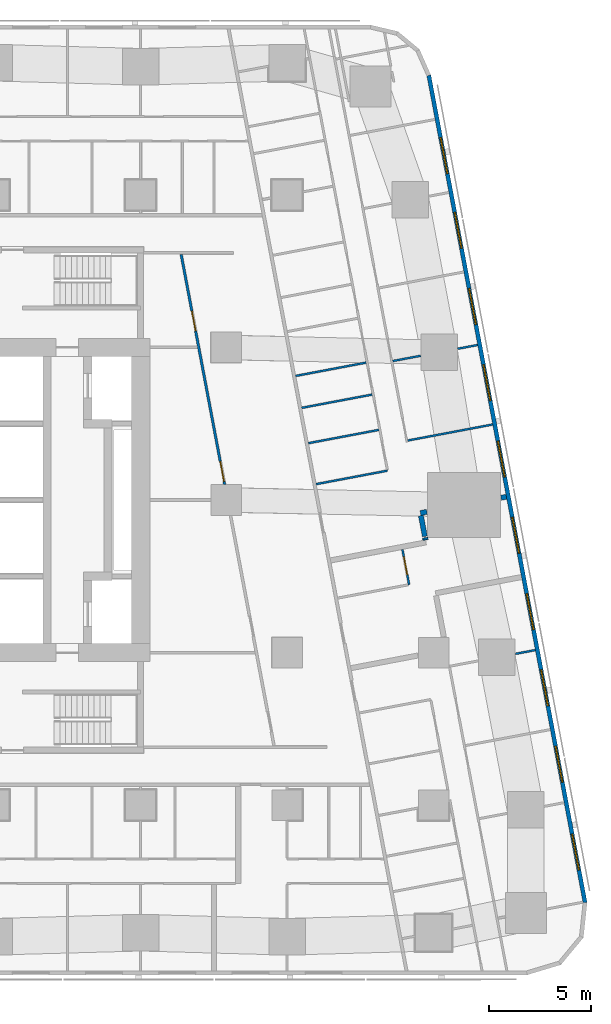
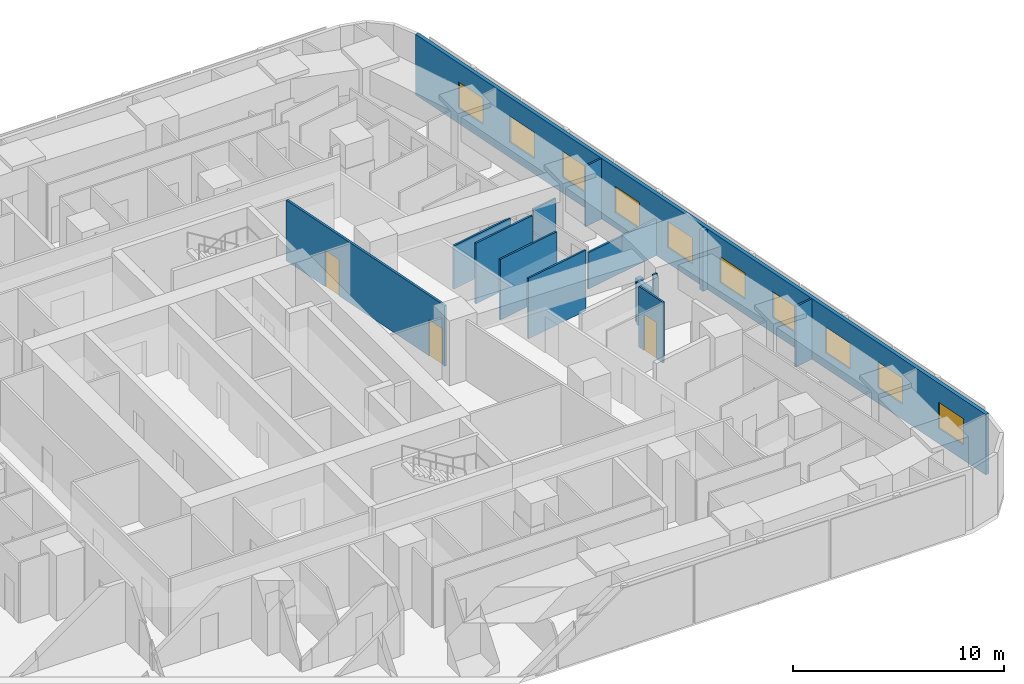
# One storey, part 8 of 15: 15 walls, 10 windows, 3 doors, 13 openings.
"""IFC4 building model written with IfcOpenShell, lengths in metres."""

from ifc_helpers import new_model, si_unit, direction, frame, frame_2d, origin, place, context, subcontext, project, spatial, rectangle, extrude, material, layer, layer_set, type_object, element, fill, save


model = new_model("IFC4")

# Units and contexts
model_context = context("Model", 3, precision=1e-05, world=origin(), true_north=direction((0.0, 1.0)))
body_context = subcontext(model_context, "Body", "Model", "MODEL_VIEW")
ifc_project = project(units=[si_unit("LENGTHUNIT", "METRE"), si_unit("AREAUNIT", "SQUARE_METRE"), si_unit("VOLUMEUNIT", "CUBIC_METRE"), si_unit("PLANEANGLEUNIT", "RADIAN"), si_unit("MASSUNIT", "GRAM", prefix="KILO")], contexts=[model_context])

# Site, building, storey
site_placement = place(None, origin())
site = spatial("IfcSite", under=ifc_project, at=site_placement, CompositionType="ELEMENT")
building_placement = place(site_placement, origin())
building = spatial("IfcBuilding", under=site, at=building_placement, Name="Sheger Commons Tower", CompositionType="ELEMENT")
storey_placement = place(building_placement, frame((0.0, 0.0, 158.300048828125)))
storey = spatial("IfcBuildingStorey", under=building, at=storey_placement, Name="L40", CompositionType="ELEMENT", Elevation=158.300048828125)

# Walls
ifc_material_1 = material(Name="Dense concrete block masonry, plastered both sides (separating wall between flats)", Category="masonry")
ifc_layer_1 = layer(ifc_material_1, 0.25)
ifc_layer_set_1 = layer_set([ifc_layer_1], Name="DEMISING WALL 250")
wall_type_1 = type_object("IfcWallType", Name="DEMISING WALL 250", PredefinedType="SOLIDWALL", material=ifc_layer_set_1)
wall_1_placement = place(storey_placement, frame((46.781982421875, 22.656982421875, 0.0), z_axis=(0.0, 0.0, 1.0), x_axis=(-0.982104607121, -0.188336243648, 0.0)))
element("IfcWall", 1, at=wall_1_placement, inside=storey, type_object=wall_type_1, Name="Demising wall L40", PredefinedType="SOLIDWALL", context=body_context, shape_type="SweptSolid", body=[
    extrude(rectangle(XDim=0.265625, YDim=0.25, at=frame_2d((0.1328125, 0.0))), origin(), (0.0, 0.0, 1.0), 3.5),
])
wall_2_placement = place(storey_placement, frame((42.873046875, 21.91796875, 0.0), z_axis=(0.0, 0.0, 1.0), x_axis=(-0.982431406936, -0.186624035603, 0.0)))
element("IfcWall", 2, at=wall_2_placement, inside=storey, type_object=wall_type_1, Name="Demising wall L40", PredefinedType="SOLIDWALL", context=body_context, shape_type="SweptSolid", body=[
    extrude(rectangle(XDim=0.32177734375, YDim=0.25, at=frame_2d((0.160888671875, 0.0))), origin(), (0.0, 0.0, 1.0), 2.5),
])
wall_3_placement = place(storey_placement, frame((42.580078125, 21.736083984375, 0.0), z_axis=(0.0, 0.0, 1.0), x_axis=(0.185458925981, -0.982652017132, 0.0)))
element("IfcWall", 3, at=wall_3_placement, inside=storey, type_object=wall_type_1, Name="Demising wall L40", PredefinedType="SOLIDWALL", context=body_context, shape_type="SweptSolid", body=[
    extrude(rectangle(XDim=1.045166015625, YDim=0.25, at=frame_2d((0.5224609375, 0.0))), origin(), (0.0, 0.0, 1.0), 2.5),
])
wall_4_placement = place(storey_placement, frame((42.787109375, 20.638916015625, 0.0), z_axis=(0.0, 0.0, 1.0), x_axis=(0.185013851593, -0.982735913009, 0.0)))
element("IfcWall", 4, at=wall_4_placement, inside=storey, type_object=wall_type_1, Name="Demising wall L40", PredefinedType="SOLIDWALL", context=body_context, shape_type="SweptSolid", body=[
    extrude(rectangle(XDim=0.1015625, YDim=0.25, at=frame_2d((0.05078125, 0.0))), origin(), (0.0, 0.0, 1.0), 3.5),
])

# Wall, openings, windows
ifc_material_2 = material(Name="Rendered concrete block masonry, dark grey", Category="masonry")
ifc_layer_2 = layer(ifc_material_2, 0.199951171875)
ifc_layer_set_2 = layer_set([ifc_layer_2], Name="FACADE WALL 200")
wall_type_2 = type_object("IfcWallType", Name="FACADE WALL 200", PredefinedType="SOLIDWALL", material=ifc_layer_set_2)
wall_5_placement = place(storey_placement, frame((50.653076171875, 2.702880859375, 0.0), z_axis=(0.0, 0.0, 1.0), x_axis=(-0.185612026696, 0.982623109613, 0.0)))
wall_5 = element("IfcWall", 5, at=wall_5_placement, inside=storey, type_object=wall_type_2, Name="Facade wall L40", PredefinedType="SOLIDWALL", context=body_context, shape_type="SweptSolid", body=[
    extrude(rectangle(XDim=41.393310546875, YDim=0.199951171875, at=frame_2d((20.69677734375, 0.0))), origin(), (0.0, 0.0, 1.0), 3.5),
])
opening_1_placement = place(wall_5_placement, frame((1.633056640625, 0.0, 0.89990234375)))
opening_1 = element("IfcOpeningElement", 6, at=opening_1_placement, cuts=wall_5, Name="Opening W2", PredefinedType="OPENING", context=body_context, shape_type="SweptSolid", body=[
    extrude(rectangle(XDim=1.800048828125, YDim=1.5, at=frame_2d((0.89990234375, 0.75))), frame((0.0, 0.10986328125, 0.0), z_axis=(0.0, -1.0, 0.0), x_axis=(1.0, 0.0, 0.0)), (0.0, 0.0, 1.0), 0.219970703125),
])
opening_2_placement = place(wall_5_placement, frame((6.031982421875, 0.0, 0.89990234375)))
opening_2 = element("IfcOpeningElement", 7, at=opening_2_placement, cuts=wall_5, Name="Opening W2", PredefinedType="OPENING", context=body_context, shape_type="SweptSolid", body=[
    extrude(rectangle(XDim=1.800048828125, YDim=1.5, at=frame_2d((0.89990234375, 0.75))), frame((0.0, 0.10986328125, 0.0), z_axis=(0.0, -1.0, 0.0), x_axis=(1.0, 0.0, 0.0)), (0.0, 0.0, 1.0), 0.219970703125),
])
opening_3_placement = place(wall_5_placement, frame((9.847900390625, 0.0, 0.89990234375)))
opening_3 = element("IfcOpeningElement", 8, at=opening_3_placement, cuts=wall_5, Name="Opening W2", PredefinedType="OPENING", context=body_context, shape_type="SweptSolid", body=[
    extrude(rectangle(XDim=1.800048828125, YDim=1.5, at=frame_2d((0.89990234375, 0.75))), frame((0.0, 0.10986328125, 0.0), z_axis=(0.0, -1.0, 0.0), x_axis=(1.0, 0.0, 0.0)), (0.0, 0.0, 1.0), 0.219970703125),
])
opening_4_placement = place(wall_5_placement, frame((13.6640625, 0.0, 0.89990234375)))
opening_4 = element("IfcOpeningElement", 9, at=opening_4_placement, cuts=wall_5, Name="Opening W2", PredefinedType="OPENING", context=body_context, shape_type="SweptSolid", body=[
    extrude(rectangle(XDim=1.800048828125, YDim=1.5, at=frame_2d((0.89990234375, 0.75))), frame((0.0, 0.10986328125, 0.0), z_axis=(0.0, -1.0, 0.0), x_axis=(1.0, 0.0, 0.0)), (0.0, 0.0, 1.0), 0.219970703125),
])
opening_5_placement = place(wall_5_placement, frame((17.48095703125, 0.0, 0.89990234375)))
opening_5 = element("IfcOpeningElement", 10, at=opening_5_placement, cuts=wall_5, Name="Opening W2", PredefinedType="OPENING", context=body_context, shape_type="SweptSolid", body=[
    extrude(rectangle(XDim=1.800048828125, YDim=1.5, at=frame_2d((0.89990234375, 0.75))), frame((0.0, 0.10986328125, 0.0), z_axis=(0.0, -1.0, 0.0), x_axis=(1.0, 0.0, 0.0)), (0.0, 0.0, 1.0), 0.219970703125),
])
opening_6_placement = place(wall_5_placement, frame((21.297119140625, 0.0, 0.89990234375)))
opening_6 = element("IfcOpeningElement", 11, at=opening_6_placement, cuts=wall_5, Name="Opening W2", PredefinedType="OPENING", context=body_context, shape_type="SweptSolid", body=[
    extrude(rectangle(XDim=1.800048828125, YDim=1.5, at=frame_2d((0.89990234375, 0.75))), frame((0.0, 0.10986328125, 0.0), z_axis=(0.0, -1.0, 0.0), x_axis=(1.0, 0.0, 0.0)), (0.0, 0.0, 1.0), 0.219970703125),
])
opening_7_placement = place(wall_5_placement, frame((25.113037109375, 0.0, 0.89990234375)))
opening_7 = element("IfcOpeningElement", 12, at=opening_7_placement, cuts=wall_5, Name="Opening W2", PredefinedType="OPENING", context=body_context, shape_type="SweptSolid", body=[
    extrude(rectangle(XDim=1.800048828125, YDim=1.5, at=frame_2d((0.89990234375, 0.75))), frame((0.0, 0.10986328125, 0.0), z_axis=(0.0, -1.0, 0.0), x_axis=(1.0, 0.0, 0.0)), (0.0, 0.0, 1.0), 0.219970703125),
])
opening_8_placement = place(wall_5_placement, frame((28.929931640625, 0.0, 0.89990234375)))
opening_8 = element("IfcOpeningElement", 13, at=opening_8_placement, cuts=wall_5, Name="Opening W2", PredefinedType="OPENING", context=body_context, shape_type="SweptSolid", body=[
    extrude(rectangle(XDim=1.800048828125, YDim=1.5, at=frame_2d((0.89990234375, 0.75))), frame((0.0, 0.10986328125, 0.0), z_axis=(0.0, -1.0, 0.0), x_axis=(1.0, 0.0, 0.0)), (0.0, 0.0, 1.0), 0.219970703125),
])
opening_9_placement = place(wall_5_placement, frame((32.74609375, 0.0, 0.89990234375)))
opening_9 = element("IfcOpeningElement", 14, at=opening_9_placement, cuts=wall_5, Name="Opening W2", PredefinedType="OPENING", context=body_context, shape_type="SweptSolid", body=[
    extrude(rectangle(XDim=1.800048828125, YDim=1.5, at=frame_2d((0.89990234375, 0.75))), frame((0.0, 0.10986328125, 0.0), z_axis=(0.0, -1.0, 0.0), x_axis=(1.0, 0.0, 0.0)), (0.0, 0.0, 1.0), 0.219970703125),
])
opening_10_placement = place(wall_5_placement, frame((36.48095703125, 0.0, 0.89990234375)))
opening_10 = element("IfcOpeningElement", 15, at=opening_10_placement, cuts=wall_5, Name="Opening W2", PredefinedType="OPENING", context=body_context, shape_type="SweptSolid", body=[
    extrude(rectangle(XDim=1.800048828125, YDim=1.5, at=frame_2d((0.89990234375, 0.75))), frame((0.0, 0.10986328125, 0.0), z_axis=(0.0, -1.0, 0.0), x_axis=(1.0, 0.0, 0.0)), (0.0, 0.0, 1.0), 0.219970703125),
])
ifc_material_3 = material(Name="Black aluminium frame, dark tinted double glazing", Category="aluminium")
window_type = type_object("IfcWindowType", Name="WINDOW W2 1800x1500", PartitioningType="SINGLE_PANEL", PredefinedType="WINDOW", material=ifc_material_3)
window_1_placement = place(opening_1_placement, origin())
window_1 = element("IfcWindow", 16, at=window_1_placement, inside=storey, type_object=window_type, Name="Window W2 1800X1500", OverallHeight=1.5, OverallWidth=1.800048828125, PartitioningType="SINGLE_PANEL", PredefinedType="WINDOW", context=body_context, shape_type="SweptSolid", body=[
    extrude(rectangle(XDim=1.800048828125, YDim=1.5, at=frame_2d((0.89990234375, 0.75))), frame((0.0, 0.030029296875, 0.0), z_axis=(0.0, -1.0, 0.0), x_axis=(1.0, 0.0, 0.0)), (0.0, 0.0, 1.0), 0.06005859375),
])
fill(opening_1, window_1)
window_2_placement = place(opening_2_placement, origin())
window_2 = element("IfcWindow", 17, at=window_2_placement, inside=storey, type_object=window_type, Name="Window W2 1800X1500", OverallHeight=1.5, OverallWidth=1.800048828125, PartitioningType="SINGLE_PANEL", PredefinedType="WINDOW", context=body_context, shape_type="SweptSolid", body=[
    extrude(rectangle(XDim=1.800048828125, YDim=1.5, at=frame_2d((0.89990234375, 0.75))), frame((0.0, 0.030029296875, 0.0), z_axis=(0.0, -1.0, 0.0), x_axis=(1.0, 0.0, 0.0)), (0.0, 0.0, 1.0), 0.06005859375),
])
fill(opening_2, window_2)
window_3_placement = place(opening_3_placement, origin())
window_3 = element("IfcWindow", 18, at=window_3_placement, inside=storey, type_object=window_type, Name="Window W2 1800X1500", OverallHeight=1.5, OverallWidth=1.800048828125, PartitioningType="SINGLE_PANEL", PredefinedType="WINDOW", context=body_context, shape_type="SweptSolid", body=[
    extrude(rectangle(XDim=1.800048828125, YDim=1.5, at=frame_2d((0.89990234375, 0.75))), frame((0.0, 0.030029296875, 0.0), z_axis=(0.0, -1.0, 0.0), x_axis=(1.0, 0.0, 0.0)), (0.0, 0.0, 1.0), 0.06005859375),
])
fill(opening_3, window_3)
window_4_placement = place(opening_4_placement, origin())
window_4 = element("IfcWindow", 19, at=window_4_placement, inside=storey, type_object=window_type, Name="Window W2 1800X1500", OverallHeight=1.5, OverallWidth=1.800048828125, PartitioningType="SINGLE_PANEL", PredefinedType="WINDOW", context=body_context, shape_type="SweptSolid", body=[
    extrude(rectangle(XDim=1.800048828125, YDim=1.5, at=frame_2d((0.89990234375, 0.75))), frame((0.0, 0.030029296875, 0.0), z_axis=(0.0, -1.0, 0.0), x_axis=(1.0, 0.0, 0.0)), (0.0, 0.0, 1.0), 0.06005859375),
])
fill(opening_4, window_4)
window_5_placement = place(opening_5_placement, origin())
window_5 = element("IfcWindow", 20, at=window_5_placement, inside=storey, type_object=window_type, Name="Window W2 1800X1500", OverallHeight=1.5, OverallWidth=1.800048828125, PartitioningType="SINGLE_PANEL", PredefinedType="WINDOW", context=body_context, shape_type="SweptSolid", body=[
    extrude(rectangle(XDim=1.800048828125, YDim=1.5, at=frame_2d((0.89990234375, 0.75))), frame((0.0, 0.030029296875, 0.0), z_axis=(0.0, -1.0, 0.0), x_axis=(1.0, 0.0, 0.0)), (0.0, 0.0, 1.0), 0.06005859375),
])
fill(opening_5, window_5)
window_6_placement = place(opening_6_placement, origin())
window_6 = element("IfcWindow", 21, at=window_6_placement, inside=storey, type_object=window_type, Name="Window W2 1800X1500", OverallHeight=1.5, OverallWidth=1.800048828125, PartitioningType="SINGLE_PANEL", PredefinedType="WINDOW", context=body_context, shape_type="SweptSolid", body=[
    extrude(rectangle(XDim=1.800048828125, YDim=1.5, at=frame_2d((0.89990234375, 0.75))), frame((0.0, 0.030029296875, 0.0), z_axis=(0.0, -1.0, 0.0), x_axis=(1.0, 0.0, 0.0)), (0.0, 0.0, 1.0), 0.06005859375),
])
fill(opening_6, window_6)
window_7_placement = place(opening_7_placement, origin())
window_7 = element("IfcWindow", 22, at=window_7_placement, inside=storey, type_object=window_type, Name="Window W2 1800X1500", OverallHeight=1.5, OverallWidth=1.800048828125, PartitioningType="SINGLE_PANEL", PredefinedType="WINDOW", context=body_context, shape_type="SweptSolid", body=[
    extrude(rectangle(XDim=1.800048828125, YDim=1.5, at=frame_2d((0.89990234375, 0.75))), frame((0.0, 0.030029296875, 0.0), z_axis=(0.0, -1.0, 0.0), x_axis=(1.0, 0.0, 0.0)), (0.0, 0.0, 1.0), 0.06005859375),
])
fill(opening_7, window_7)
window_8_placement = place(opening_8_placement, origin())
window_8 = element("IfcWindow", 23, at=window_8_placement, inside=storey, type_object=window_type, Name="Window W2 1800X1500", OverallHeight=1.5, OverallWidth=1.800048828125, PartitioningType="SINGLE_PANEL", PredefinedType="WINDOW", context=body_context, shape_type="SweptSolid", body=[
    extrude(rectangle(XDim=1.800048828125, YDim=1.5, at=frame_2d((0.89990234375, 0.75))), frame((0.0, 0.030029296875, 0.0), z_axis=(0.0, -1.0, 0.0), x_axis=(1.0, 0.0, 0.0)), (0.0, 0.0, 1.0), 0.06005859375),
])
fill(opening_8, window_8)
window_9_placement = place(opening_9_placement, origin())
window_9 = element("IfcWindow", 24, at=window_9_placement, inside=storey, type_object=window_type, Name="Window W2 1800X1500", OverallHeight=1.5, OverallWidth=1.800048828125, PartitioningType="SINGLE_PANEL", PredefinedType="WINDOW", context=body_context, shape_type="SweptSolid", body=[
    extrude(rectangle(XDim=1.800048828125, YDim=1.5, at=frame_2d((0.89990234375, 0.75))), frame((0.0, 0.030029296875, 0.0), z_axis=(0.0, -1.0, 0.0), x_axis=(1.0, 0.0, 0.0)), (0.0, 0.0, 1.0), 0.06005859375),
])
fill(opening_9, window_9)
window_10_placement = place(opening_10_placement, origin())
window_10 = element("IfcWindow", 25, at=window_10_placement, inside=storey, type_object=window_type, Name="Window W2 1800X1500", OverallHeight=1.5, OverallWidth=1.800048828125, PartitioningType="SINGLE_PANEL", PredefinedType="WINDOW", context=body_context, shape_type="SweptSolid", body=[
    extrude(rectangle(XDim=1.800048828125, YDim=1.5, at=frame_2d((0.89990234375, 0.75))), frame((0.0, 0.030029296875, 0.0), z_axis=(0.0, -1.0, 0.0), x_axis=(1.0, 0.0, 0.0)), (0.0, 0.0, 1.0), 0.06005859375),
])
fill(opening_10, window_10)

# Walls
ifc_material_4 = material(Name="Gypsum board on steel studs", Category="steel")
ifc_layer_3 = layer(ifc_material_4, 0.10009765625)
ifc_layer_set_3 = layer_set([ifc_layer_3], Name="PARTITION 100")
wall_type_3 = type_object("IfcWallType", Name="PARTITION 100", PredefinedType="PARTITIONING", material=ifc_layer_set_3)
wall_6_placement = place(storey_placement, frame((45.3720703125, 30.12109375, 0.0), z_axis=(0.0, 0.0, 1.0), x_axis=(-0.982708646087, -0.185158626332, 0.0)))
element("IfcWall", 26, at=wall_6_placement, inside=storey, type_object=wall_type_3, Name="Partition L40", PredefinedType="PARTITIONING", context=body_context, shape_type="SweptSolid", body=[
    extrude(rectangle(XDim=0.99951171875, YDim=0.10009765625, at=frame_2d((0.499755859375, 0.0))), origin(), (0.0, 0.0, 1.0), 3.5),
])
wall_7_placement = place(storey_placement, frame((42.570068359375, 29.592041015625, 0.0), z_axis=(0.0, 0.0, 1.0), x_axis=(-0.982562488259, -0.185932667021, 0.0)))
element("IfcWall", 27, at=wall_7_placement, inside=storey, type_object=wall_type_3, Name="Partition L40", PredefinedType="PARTITIONING", context=body_context, shape_type="SweptSolid", body=[
    extrude(rectangle(XDim=1.3984375, YDim=0.10009765625, at=frame_2d((0.69921875, 0.0))), origin(), (0.0, 0.0, 1.0), 2.5),
])
wall_8_placement = place(storey_placement, frame((46.110107421875, 26.212890625, 0.0), z_axis=(0.0, 0.0, 1.0), x_axis=(-0.982623519589, -0.185609856287, 0.0)))
element("IfcWall", 28, at=wall_8_placement, inside=storey, type_object=wall_type_3, Name="Partition L40", PredefinedType="PARTITIONING", context=body_context, shape_type="SweptSolid", body=[
    extrude(rectangle(XDim=4.249755859375, YDim=0.10009765625, at=frame_2d((2.125, 0.0))), origin(), (0.0, 0.0, 1.0), 2.099853515625),
])
wall_9_placement = place(storey_placement, frame((40.18408203125, 27.68310546875, 0.0), z_axis=(0.0, 0.0, 1.0), x_axis=(-0.982638553676, -0.185530247748, 0.0)))
element("IfcWall", 29, at=wall_9_placement, inside=storey, type_object=wall_type_3, Name="Partition L40", PredefinedType="PARTITIONING", context=body_context, shape_type="SweptSolid", body=[
    extrude(rectangle(XDim=3.525390625, YDim=0.10009765625, at=frame_2d((1.7626953125, 0.0))), origin(), (0.0, 0.0, 1.0), 3.5),
])
wall_10_placement = place(storey_placement, frame((40.94189453125, 23.943115234375, 0.0), z_axis=(0.0, 0.0, 1.0), x_axis=(-0.982598214409, -0.185743772548, 0.0)))
element("IfcWall", 30, at=wall_10_placement, inside=storey, type_object=wall_type_3, Name="Partition L40", PredefinedType="PARTITIONING", context=body_context, shape_type="SweptSolid", body=[
    extrude(rectangle(XDim=3.5751953125, YDim=0.10009765625, at=frame_2d((1.78759765625, 0.0))), origin(), (0.0, 0.0, 1.0), 3.5),
])
wall_11_placement = place(storey_placement, frame((40.511962890625, 25.947998046875, 0.0), z_axis=(0.0, 0.0, 1.0), x_axis=(-0.982636169624, -0.185542874149, 0.0)))
element("IfcWall", 31, at=wall_11_placement, inside=storey, type_object=wall_type_3, Name="Partition L40", PredefinedType="PARTITIONING", context=body_context, shape_type="SweptSolid", body=[
    extrude(rectangle(XDim=3.525146484375, YDim=0.10009765625, at=frame_2d((1.7626953125, 0.0))), origin(), (0.0, 0.0, 1.0), 3.5),
])
wall_12_placement = place(storey_placement, frame((39.886962890625, 29.256103515625, 0.0), z_axis=(0.0, 0.0, 1.0), x_axis=(-0.982585626838, -0.185810349366, 0.0)))
element("IfcWall", 32, at=wall_12_placement, inside=storey, type_object=wall_type_3, Name="Partition L40", PredefinedType="PARTITIONING", context=body_context, shape_type="SweptSolid", body=[
    extrude(rectangle(XDim=3.525146484375, YDim=0.10009765625, at=frame_2d((1.7626953125, 0.0))), origin(), (0.0, 0.0, 1.0), 2.5),
])

# Wall, opening, door
wall_13_placement = place(storey_placement, frame((41.673095703125, 20.070068359375, 0.0), z_axis=(0.0, 0.0, 1.0), x_axis=(0.185783379659, -0.98259072652, 0.0)))
wall_13 = element("IfcWall", 33, at=wall_13_placement, inside=storey, type_object=wall_type_3, Name="Partition L40", PredefinedType="PARTITIONING", context=body_context, shape_type="SweptSolid", body=[
    extrude(rectangle(XDim=1.764892578125, YDim=0.10009765625, at=frame_2d((0.88232421875, 0.0))), origin(), (0.0, 0.0, 1.0), 3.5),
])
opening_11_placement = place(wall_13_placement, frame((0.3740234375, 0.0, 0.0)))
opening_11 = element("IfcOpeningElement", 34, at=opening_11_placement, cuts=wall_13, Name="Opening D2", PredefinedType="OPENING", context=body_context, shape_type="SweptSolid", body=[
    extrude(rectangle(XDim=0.89990234375, YDim=2.10009765625, at=frame_2d((0.449951171875, 1.050048828125))), frame((0.0, 0.06005859375, 0.0), z_axis=(0.0, -1.0, 0.0), x_axis=(1.0, 0.0, 0.0)), (0.0, 0.0, 1.0), 0.1201171875),
])
ifc_material_5 = material(Name="Timber door set", Category="wood")
door_type_1 = type_object("IfcDoorType", Name="INTERNAL DOOR 900x2100", OperationType="NOTDEFINED", PredefinedType="DOOR", material=ifc_material_5)
door_1_placement = place(opening_11_placement, origin())
door_1 = element("IfcDoor", 35, at=door_1_placement, inside=storey, type_object=door_type_1, Name="Shower room door", OperationType="SINGLE_SWING_RIGHT", OverallHeight=2.10009765625, OverallWidth=0.89990234375, PredefinedType="DOOR", context=body_context, shape_type="SweptSolid", body=[
    extrude(rectangle(XDim=0.89990234375, YDim=2.10009765625, at=frame_2d((0.449951171875, 1.050048828125))), frame((0.0, 0.02490234375, 0.0), z_axis=(0.0, -1.0, 0.0), x_axis=(1.0, 0.0, 0.0)), (0.0, 0.0, 1.0), 0.050048828125),
])
fill(opening_11, door_1)

# Wall
wall_14_placement = place(storey_placement, frame((48.2060546875, 15.1201171875, 0.0), z_axis=(0.0, 0.0, 1.0), x_axis=(-0.982700268498, -0.185203083919, 0.0)))
element("IfcWall", 36, at=wall_14_placement, inside=storey, type_object=wall_type_3, Name="Partition L40", PredefinedType="PARTITIONING", context=body_context, shape_type="SweptSolid", body=[
    extrude(rectangle(XDim=0.999267578125, YDim=0.10009765625, at=frame_2d((0.49951171875, 0.0))), origin(), (0.0, 0.0, 1.0), 3.5),
])

# Wall, openings, doors
ifc_material_6 = material(Name="Gypsum board on steel studs, two layers each side, fire rated", Category="steel")
ifc_layer_4 = layer(ifc_material_6, 0.125)
ifc_layer_set_4 = layer_set([ifc_layer_4], Name="SERVICE WALL 125")
wall_type_4 = type_object("IfcWallType", Name="SERVICE WALL 125", PredefinedType="PARTITIONING", material=ifc_layer_set_4)
wall_15_placement = place(storey_placement, frame((32.928955078125, 23.262939453125, 0.0), z_axis=(0.0, 0.0, 1.0), x_axis=(-0.185612234763, 0.982623070311, 0.0)))
wall_15 = element("IfcWall", 37, at=wall_15_placement, inside=storey, type_object=wall_type_4, Name="Service room wall L40", PredefinedType="PARTITIONING", context=body_context, shape_type="SweptSolid", body=[
    extrude(rectangle(XDim=11.512939453125, YDim=0.125, at=frame_2d((5.75634765625, 0.0))), origin(), (0.0, 0.0, 1.0), 3.5),
])
opening_12_placement = place(wall_15_placement, frame((0.14990234375, 0.0, 0.0)))
opening_12 = element("IfcOpeningElement", 38, at=opening_12_placement, cuts=wall_15, Name="Opening D4", PredefinedType="OPENING", context=body_context, shape_type="SweptSolid", body=[
    extrude(rectangle(XDim=1.0, YDim=2.10009765625, at=frame_2d((0.5, 1.050048828125))), frame((0.0, 0.072509765625, 0.0), z_axis=(0.0, -1.0, 0.0), x_axis=(1.0, 0.0, 0.0)), (0.0, 0.0, 1.0), 0.14501953125),
])
opening_13_placement = place(wall_15_placement, frame((7.678955078125, 0.0, 0.0)))
opening_13 = element("IfcOpeningElement", 39, at=opening_13_placement, cuts=wall_15, Name="Opening D4", PredefinedType="OPENING", context=body_context, shape_type="SweptSolid", body=[
    extrude(rectangle(XDim=1.0, YDim=2.10009765625, at=frame_2d((0.5, 1.050048828125))), frame((0.0, 0.072509765625, 0.0), z_axis=(0.0, -1.0, 0.0), x_axis=(1.0, 0.0, 0.0)), (0.0, 0.0, 1.0), 0.14501953125),
])
ifc_material_7 = material(Name="Steel door set, fire rated", Category="steel")
door_type_2 = type_object("IfcDoorType", Name="SERVICE DOOR 1000x2100", OperationType="NOTDEFINED", PredefinedType="DOOR", material=ifc_material_7)
door_2_placement = place(opening_12_placement, origin())
door_2 = element("IfcDoor", 40, at=door_2_placement, inside=storey, type_object=door_type_2, Name="Residents' store door", OperationType="SINGLE_SWING_LEFT", OverallHeight=2.10009765625, OverallWidth=1.0, PredefinedType="DOOR", context=body_context, shape_type="SweptSolid", body=[
    extrude(rectangle(XDim=1.0, YDim=2.10009765625, at=frame_2d((0.5, 1.050048828125))), frame((0.0, 0.02490234375, 0.0), z_axis=(0.0, -1.0, 0.0), x_axis=(1.0, 0.0, 0.0)), (0.0, 0.0, 1.0), 0.050048828125),
])
fill(opening_12, door_2)
door_3_placement = place(opening_13_placement, origin())
door_3 = element("IfcDoor", 41, at=door_3_placement, inside=storey, type_object=door_type_2, Name="Residents' meeting room door", OperationType="SINGLE_SWING_LEFT", OverallHeight=2.10009765625, OverallWidth=1.0, PredefinedType="DOOR", context=body_context, shape_type="SweptSolid", body=[
    extrude(rectangle(XDim=1.0, YDim=2.10009765625, at=frame_2d((0.5, 1.050048828125))), frame((0.0, 0.02490234375, 0.0), z_axis=(0.0, -1.0, 0.0), x_axis=(1.0, 0.0, 0.0)), (0.0, 0.0, 1.0), 0.050048828125),
])
fill(opening_13, door_3)

save(model, "model.ifc")
